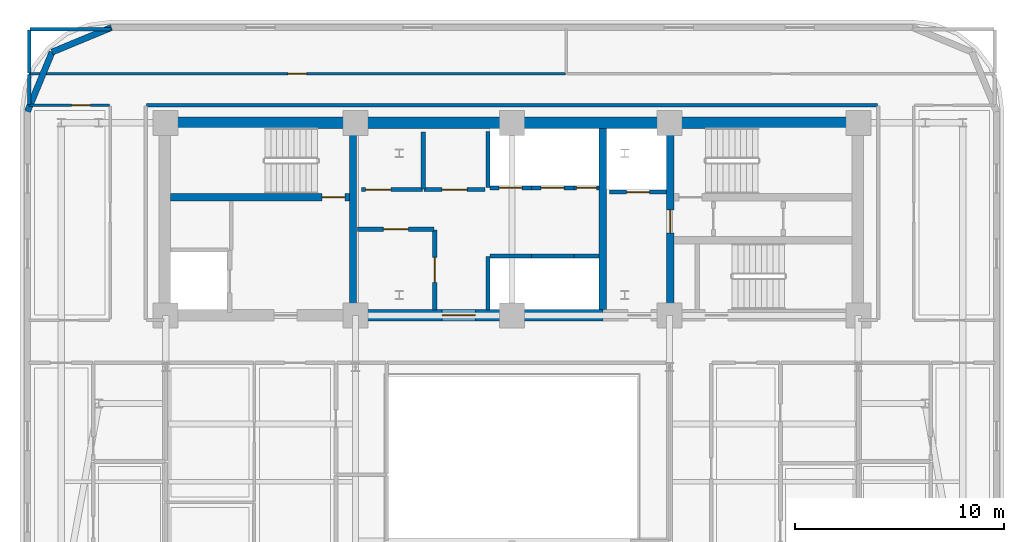
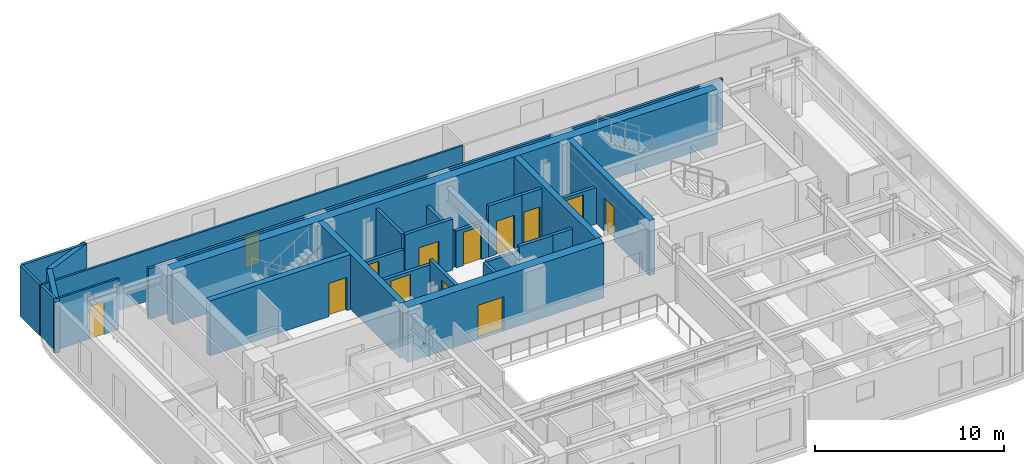
# One storey, part 8 of 13: 28 walls, 13 doors, 13 openings.
"""IFC4 building model written with IfcOpenShell, lengths in metres."""

from ifc_helpers import new_model, si_unit, direction, frame, frame_2d, origin, place, context, subcontext, project, spatial, rectangle, extrude, material, layer, layer_set, type_object, element, fill, save


model = new_model("IFC4")

# Units and contexts
model_context = context("Model", 3, precision=1e-05, world=origin(), true_north=direction((0.0, 1.0)))
body_context = subcontext(model_context, "Body", "Model", "MODEL_VIEW")
ifc_project = project(units=[si_unit("LENGTHUNIT", "METRE"), si_unit("AREAUNIT", "SQUARE_METRE"), si_unit("VOLUMEUNIT", "CUBIC_METRE"), si_unit("PLANEANGLEUNIT", "RADIAN"), si_unit("MASSUNIT", "GRAM", prefix="KILO")], contexts=[model_context])

# Site, building, storey
site_placement = place(None, origin())
site = spatial("IfcSite", under=ifc_project, at=site_placement, CompositionType="ELEMENT")
building_placement = place(site_placement, origin())
building = spatial("IfcBuilding", under=site, at=building_placement, Name="Zarnavel Station Tower", CompositionType="ELEMENT")
storey_placement = place(building_placement, frame((0.0, 0.0, 148.35009765625)))
storey = spatial("IfcBuildingStorey", under=building, at=storey_placement, Name="L40", CompositionType="ELEMENT", Elevation=148.35009765625)

# Walls
ifc_material_1 = material(Name="Concrete C50/60", Category="concrete")
ifc_layer_1 = layer(ifc_material_1, 0.35009765625)
ifc_layer_set_1 = layer_set([ifc_layer_1], Name="CW_350")
wall_type_1 = type_object("IfcWallType", Name="CW_350", PredefinedType="SHEAR", material=ifc_layer_set_1)
for number, where, z_axis, x_axis, name in (
    (1, (21.179931640625, 28.094970703125, 0.0), (0.0, 0.0, 1.0), (0.0, 1.0, 0.0), "L40 Rear Core Shear Wall DIV-W"),
    (2, (33.14990234375, 28.094970703125, 0.0), (0.0, 0.0, 1.0), (0.0, 1.0, 0.0), "L40 Rear Core Shear Wall DIV-E"),
):
    element("IfcWall", number, at=place(storey_placement, frame(where, z_axis=z_axis, x_axis=x_axis)), inside=storey, type_object=wall_type_1, Name=name, PredefinedType="SHEAR", context=body_context, shape_type="SweptSolid", body=[
        extrude(rectangle(XDim=8.679931640625, YDim=0.35009765625, at=frame_2d((4.33984375, 0.0))), origin(), (0.0, 0.0, 1.0), 3.5498046875),
    ])

# Wall, opening, door
wall_1_placement = place(storey_placement, frame((36.3798828125, 28.094970703125, 0.0), z_axis=(0.0, 0.0, 1.0), x_axis=(0.0, 1.0, 0.0)))
wall_1 = element("IfcWall", 3, at=wall_1_placement, inside=storey, type_object=wall_type_1, Name="L40 Rear Core Shear Wall DIV-S2", PredefinedType="SHEAR", context=body_context, shape_type="SweptSolid", body=[
    extrude(rectangle(XDim=8.679931640625, YDim=0.35009765625, at=frame_2d((4.33984375, 0.0))), origin(), (0.0, 0.0, 1.0), 3.5498046875),
])
opening_1_placement = place(wall_1_placement, frame((3.68505859375, 0.0, 0.0)))
opening_1 = element("IfcOpeningElement", 4, at=opening_1_placement, cuts=wall_1, Name="Opening FD01", PredefinedType="OPENING", context=body_context, shape_type="SweptSolid", body=[
    extrude(rectangle(XDim=1.10009765625, YDim=2.14990234375, at=frame_2d((0.550048828125, 1.074951171875))), frame((0.0, 0.18505859375, 0.0), z_axis=(0.0, -1.0, 0.0), x_axis=(1.0, 0.0, 0.0)), (0.0, 0.0, 1.0), 0.3701171875),
])
ifc_material_2 = material(Name="Painted Galvanised Steel and Hardwood Leaf", Category="steel")
door_type_1 = type_object("IfcDoorType", Name="ID_STAIR_1100", OperationType="NOTDEFINED", PredefinedType="DOOR", material=ifc_material_2)
door_1_placement = place(opening_1_placement, origin())
door_1 = element("IfcDoor", 5, at=door_1_placement, inside=storey, type_object=door_type_1, Name="L40 East Stair Vestibule Fire Door", OperationType="SINGLE_SWING_LEFT", OverallHeight=2.14990234375, OverallWidth=1.10009765625, PredefinedType="DOOR", context=body_context, shape_type="SweptSolid", body=[
    extrude(rectangle(XDim=1.10009765625, YDim=2.14990234375, at=frame_2d((0.550048828125, 1.074951171875))), frame((0.0, 0.02490234375, 0.0), z_axis=(0.0, -1.0, 0.0), x_axis=(1.0, 0.0, 0.0)), (0.0, 0.0, 1.0), 0.050048828125),
])
fill(opening_1, door_1)

wall_2_placement = place(storey_placement, frame((21.0048828125, 33.47998046875, 0.0), z_axis=(0.0, 0.0, 1.0), x_axis=(-1.0, 0.0, 0.0)))
wall_2 = element("IfcWall", 6, at=wall_2_placement, inside=storey, type_object=wall_type_1, Name="L40 Rear Core Shear Wall DIV-H1", PredefinedType="SHEAR", context=body_context, shape_type="SweptSolid", body=[
    extrude(rectangle(XDim=8.579833984375, YDim=0.35009765625, at=frame_2d((4.2900390625, 0.0))), origin(), (0.0, 0.0, 1.0), 3.5498046875),
])
opening_2_placement = place(wall_2_placement, frame((0.219970703125, 0.0, 0.0)))
opening_2 = element("IfcOpeningElement", 7, at=opening_2_placement, cuts=wall_2, Name="Opening FD01", PredefinedType="OPENING", context=body_context, shape_type="SweptSolid", body=[
    extrude(rectangle(XDim=1.10009765625, YDim=2.14990234375, at=frame_2d((0.550048828125, 1.074951171875))), frame((0.0, 0.18505859375, 0.0), z_axis=(0.0, -1.0, 0.0), x_axis=(1.0, 0.0, 0.0)), (0.0, 0.0, 1.0), 0.3701171875),
])
door_2_placement = place(opening_2_placement, origin())
door_2 = element("IfcDoor", 8, at=door_2_placement, inside=storey, type_object=door_type_1, Name="L40 Stair ST1 Lobby Fire Door", OperationType="SINGLE_SWING_LEFT", OverallHeight=2.14990234375, OverallWidth=1.10009765625, PredefinedType="DOOR", context=body_context, shape_type="SweptSolid", body=[
    extrude(rectangle(XDim=1.10009765625, YDim=2.14990234375, at=frame_2d((0.550048828125, 1.074951171875))), frame((0.0, 0.02490234375, 0.0), z_axis=(0.0, -1.0, 0.0), x_axis=(1.0, 0.0, 0.0)), (0.0, 0.0, 1.0), 0.050048828125),
])
fill(opening_2, door_2)

# Wall
ifc_material_3 = material(Name="Concrete C50/60", Category="concrete")
ifc_layer_2 = layer(ifc_material_3, 0.550048828125)
ifc_layer_set_2 = layer_set([ifc_layer_2], Name="CW_550")
wall_type_2 = type_object("IfcWallType", Name="CW_550", PredefinedType="SHEAR", material=ifc_layer_set_2)
wall_3_placement = place(storey_placement, frame((12.14990234375, 37.050048828125, 0.0), z_axis=(0.0, 0.0, 1.0), x_axis=(1.0, 0.0, 0.0)))
element("IfcWall", 9, at=wall_3_placement, inside=storey, type_object=wall_type_2, Name="L40 Rear Core Shear Wall N", PredefinedType="SHEAR", context=body_context, shape_type="SweptSolid", body=[
    extrude(rectangle(XDim=33.22998046875, YDim=0.550048828125, at=frame_2d((16.614990234375, 0.0))), origin(), (0.0, 0.0, 1.0), 3.5498046875),
])

# Wall, opening, door
wall_4_placement = place(storey_placement, frame((33.14990234375, 27.820068359375, 0.0), z_axis=(0.0, 0.0, 1.0), x_axis=(-1.0, 0.0, 0.0)))
wall_4 = element("IfcWall", 10, at=wall_4_placement, inside=storey, type_object=wall_type_2, Name="L40 Rear Core Shear Wall S-M", PredefinedType="SHEAR", context=body_context, shape_type="SweptSolid", body=[
    extrude(rectangle(XDim=11.969970703125, YDim=0.550048828125, at=frame_2d((5.98486328125, 0.0))), origin(), (0.0, 0.0, 1.0), 3.5498046875),
])
opening_3_placement = place(wall_4_placement, frame((6.10009765625, 0.0, 0.0)))
opening_3 = element("IfcOpeningElement", 11, at=opening_3_placement, cuts=wall_4, Name="Opening ID03", PredefinedType="OPENING", context=body_context, shape_type="SweptSolid", body=[
    extrude(rectangle(XDim=1.60009765625, YDim=2.199951171875, at=frame_2d((0.800048828125, 1.10009765625))), frame((0.0, 0.284912109375, 0.0), z_axis=(0.0, -1.0, 0.0), x_axis=(1.0, 0.0, 0.0)), (0.0, 0.0, 1.0), 0.570068359375),
])
ifc_material_4 = material(Name="Painted Galvanised Steel and Hardwood Leaf", Category="steel")
door_type_2 = type_object("IfcDoorType", Name="ID_PUBLIC_1600", OperationType="DOUBLE_DOOR_SINGLE_SWING", PredefinedType="DOOR", material=ifc_material_4)
door_3_placement = place(opening_3_placement, origin())
door_3 = element("IfcDoor", 12, at=door_3_placement, inside=storey, type_object=door_type_2, Name="L40 Passenger Lift Lobby Double Door", OperationType="SINGLE_SWING_LEFT", OverallHeight=2.199951171875, OverallWidth=1.60009765625, PredefinedType="DOOR", context=body_context, shape_type="SweptSolid", body=[
    extrude(rectangle(XDim=1.60009765625, YDim=2.199951171875, at=frame_2d((0.800048828125, 1.10009765625))), frame((0.0, 0.02490234375, 0.0), z_axis=(0.0, -1.0, 0.0), x_axis=(1.0, 0.0, 0.0)), (0.0, 0.0, 1.0), 0.050048828125),
])
fill(opening_3, door_3)

# Walls
ifc_material_5 = material(Name="Precast concrete C45/55 (Dark Basalt Finish)", Category="masonry")
ifc_layer_3 = layer(ifc_material_5, 0.300048828125)
ifc_layer_set_3 = layer_set([ifc_layer_3], Name="EW_BASALT_300")
wall_type_3 = type_object("IfcWallType", Name="EW_BASALT_300", PredefinedType="SOLIDWALL", material=ifc_layer_set_3)
wall_5_placement = place(storey_placement, frame((6.75732421875, 40.442626953125, 0.0), z_axis=(0.0, 0.0, 1.0), x_axis=(0.923882414032, 0.382676475685, 0.0)))
element("IfcWall", 13, at=wall_5_placement, inside=storey, type_object=wall_type_3, Name="L40 Exterior Basalt Masonry Frame Wall 07", PredefinedType="SOLIDWALL", context=body_context, shape_type="SweptSolid", body=[
    extrude(rectangle(XDim=3.076904296875, YDim=0.300048828125, at=frame_2d((1.53857421875, 0.0))), origin(), (0.0, 0.0, 1.0), 3.289794921875),
])
wall_6_placement = place(storey_placement, frame((5.580078125, 37.60009765625, 0.0), z_axis=(0.0, 0.0, 1.0), x_axis=(0.382636798336, 0.92389884758, 0.0)))
element("IfcWall", 14, at=wall_6_placement, inside=storey, type_object=wall_type_3, Name="L40 Exterior Basalt Masonry Frame Wall 08", PredefinedType="SOLIDWALL", context=body_context, shape_type="SweptSolid", body=[
    extrude(rectangle(XDim=3.07666015625, YDim=0.300048828125, at=frame_2d((1.538330078125, 0.0))), origin(), (0.0, 0.0, 1.0), 3.289794921875),
])
ifc_material_6 = material(Name="Gypsum Twin-Stud Acoustic Fire Partition", Category="concrete")
ifc_layer_4 = layer(ifc_material_6, 0.159912109375)
ifc_layer_set_4 = layer_set([ifc_layer_4], Name="PT_DEMISE_160")
wall_type_4 = type_object("IfcWallType", Name="PT_DEMISE_160", PredefinedType="PARTITIONING", material=ifc_layer_set_4)
wall_7_placement = place(storey_placement, frame((11.280029296875, 37.89990234375, 0.0), z_axis=(0.0, 0.0, 1.0), x_axis=(1.0, 0.0, 0.0)))
element("IfcWall", 15, at=wall_7_placement, inside=storey, type_object=wall_type_4, Name="L40 Enclosure Wall COR-N", PredefinedType="PARTITIONING", context=body_context, shape_type="SweptSolid", body=[
    extrude(rectangle(XDim=35.0400390625, YDim=0.159912109375, at=frame_2d((17.52001953125, 0.0))), origin(), (0.0, 0.0, 1.0), 3.289794921875),
])
wall_8_placement = place(storey_placement, frame((5.659912109375, 37.929931640625, 0.0), z_axis=(0.0, 0.0, 1.0), x_axis=(0.0, 1.0, 0.0)))
element("IfcWall", 16, at=wall_8_placement, inside=storey, type_object=wall_type_4, Name="L40 Enclosure Wall COR-N", PredefinedType="PARTITIONING", context=body_context, shape_type="SweptSolid", body=[
    extrude(rectangle(XDim=1.440185546875, YDim=0.159912109375, at=frame_2d((0.72021484375, 0.0))), origin(), (0.0, 0.0, 1.0), 3.289794921875),
])
wall_9_placement = place(storey_placement, frame((5.68994140625, 41.5400390625, 0.0), z_axis=(0.0, 0.0, 1.0), x_axis=(1.0, 0.0, 0.0)))
element("IfcWall", 17, at=wall_9_placement, inside=storey, type_object=wall_type_4, Name="L40 Enclosure Wall NGYM", PredefinedType="PARTITIONING", context=body_context, shape_type="SweptSolid", body=[
    extrude(rectangle(XDim=3.880126953125, YDim=0.159912109375, at=frame_2d((1.93994140625, 0.0))), origin(), (0.0, 0.0, 1.0), 3.289794921875),
])
wall_10_placement = place(storey_placement, frame((5.659912109375, 39.429931640625, 0.0), z_axis=(0.0, 0.0, 1.0), x_axis=(0.0, 1.0, 0.0)))
element("IfcWall", 18, at=wall_10_placement, inside=storey, type_object=wall_type_4, Name="L40 Enclosure Wall NGYM", PredefinedType="PARTITIONING", context=body_context, shape_type="SweptSolid", body=[
    extrude(rectangle(XDim=2.080078125, YDim=0.159912109375, at=frame_2d((1.0400390625, 0.0))), origin(), (0.0, 0.0, 1.0), 3.289794921875),
])

# Wall, opening, door
ifc_material_7 = material(Name="Gypsum Metal-Stud Interior Partition", Category="concrete")
ifc_layer_5 = layer(ifc_material_7, 0.1201171875)
ifc_layer_set_5 = layer_set([ifc_layer_5], Name="PT_ROOM_120")
wall_type_5 = type_object("IfcWallType", Name="PT_ROOM_120", PredefinedType="PARTITIONING", material=ifc_layer_set_5)
wall_11_placement = place(storey_placement, frame((5.659912109375, 37.89990234375, 0.0), z_axis=(0.0, 0.0, 1.0), x_axis=(1.0, 0.0, 0.0)))
wall_11 = element("IfcWall", 19, at=wall_11_placement, inside=storey, type_object=wall_type_5, Name="L40 Partition COR-N-FNW", PredefinedType="PARTITIONING", context=body_context, shape_type="SweptSolid", body=[
    extrude(rectangle(XDim=3.85009765625, YDim=0.1201171875, at=frame_2d((1.925048828125, 0.0))), origin(), (0.0, 0.0, 1.0), 3.289794921875),
])
opening_4_placement = place(wall_11_placement, frame((2.03125, 0.0, 0.0)))
opening_4 = element("IfcOpeningElement", 20, at=opening_4_placement, cuts=wall_11, Name="Opening ID01", PredefinedType="OPENING", context=body_context, shape_type="SweptSolid", body=[
    extrude(rectangle(XDim=0.89990234375, YDim=2.10009765625, at=frame_2d((0.449951171875, 1.050048828125))), frame((0.0, 0.070068359375, 0.0), z_axis=(0.0, -1.0, 0.0), x_axis=(1.0, 0.0, 0.0)), (0.0, 0.0, 1.0), 0.14013671875),
])
ifc_material_8 = material(Name="Painted Galvanised Steel and Hardwood Leaf", Category="steel")
door_type_3 = type_object("IfcDoorType", Name="ID_ROOM_900", OperationType="NOTDEFINED", PredefinedType="DOOR", material=ifc_material_8)
door_4_placement = place(opening_4_placement, origin())
door_4 = element("IfcDoor", 21, at=door_4_placement, inside=storey, type_object=door_type_3, Name="L40 Door COR-N-FNW", OperationType="SINGLE_SWING_LEFT", OverallHeight=2.10009765625, OverallWidth=0.89990234375, PredefinedType="DOOR", context=body_context, shape_type="SweptSolid", body=[
    extrude(rectangle(XDim=0.89990234375, YDim=2.10009765625, at=frame_2d((0.449951171875, 1.050048828125))), frame((0.0, 0.02490234375, 0.0), z_axis=(0.0, -1.0, 0.0), x_axis=(1.0, 0.0, 0.0)), (0.0, 0.0, 1.0), 0.050048828125),
])
fill(opening_4, door_4)

wall_12_placement = place(storey_placement, frame((5.659912109375, 39.39990234375, 0.0), z_axis=(0.0, 0.0, 1.0), x_axis=(1.0, 0.0, 0.0)))
wall_12 = element("IfcWall", 22, at=wall_12_placement, inside=storey, type_object=wall_type_5, Name="L40 Partition COR-N-NGYM", PredefinedType="PARTITIONING", context=body_context, shape_type="SweptSolid", body=[
    extrude(rectangle(XDim=25.7001953125, YDim=0.1201171875, at=frame_2d((12.85009765625, 0.0))), origin(), (0.0, 0.0, 1.0), 3.289794921875),
])
opening_5_placement = place(wall_12_placement, frame((12.39990234375, 0.0, 0.0)))
opening_5 = element("IfcOpeningElement", 23, at=opening_5_placement, cuts=wall_12, Name="Opening ID01", PredefinedType="OPENING", context=body_context, shape_type="SweptSolid", body=[
    extrude(rectangle(XDim=0.89990234375, YDim=2.10009765625, at=frame_2d((0.449951171875, 1.050048828125))), frame((0.0, 0.070068359375, 0.0), z_axis=(0.0, -1.0, 0.0), x_axis=(1.0, 0.0, 0.0)), (0.0, 0.0, 1.0), 0.14013671875),
])
door_5_placement = place(opening_5_placement, origin())
door_5 = element("IfcDoor", 24, at=door_5_placement, inside=storey, type_object=door_type_3, Name="L40 Door COR-N-NGYM", OperationType="SINGLE_SWING_LEFT", OverallHeight=2.10009765625, OverallWidth=0.89990234375, PredefinedType="DOOR", context=body_context, shape_type="SweptSolid", body=[
    extrude(rectangle(XDim=0.89990234375, YDim=2.10009765625, at=frame_2d((0.449951171875, 1.050048828125))), frame((0.0, 0.02490234375, 0.0), z_axis=(0.0, -1.0, 0.0), x_axis=(1.0, 0.0, 0.0)), (0.0, 0.0, 1.0), 0.050048828125),
])
fill(opening_5, door_5)

ifc_material_9 = material(Name="Precast concrete C45/55 (Fire Shaft Blockwork)", Category="masonry")
ifc_layer_6 = layer(ifc_material_9, 0.199951171875)
ifc_layer_set_6 = layer_set([ifc_layer_6], Name="PT_SHAFT_200")
wall_type_6 = type_object("IfcWallType", Name="PT_SHAFT_200", PredefinedType="PARTITIONING", material=ifc_layer_set_6)
wall_13_placement = place(storey_placement, frame((33.47509765625, 33.72998046875, 0.0), z_axis=(0.0, 0.0, 1.0), x_axis=(1.0, 0.0, 0.0)))
wall_13 = element("IfcWall", 25, at=wall_13_placement, inside=storey, type_object=wall_type_6, Name="L40 Lift FFL-02 Shaft Front Wall", PredefinedType="PARTITIONING", context=body_context, shape_type="SweptSolid", body=[
    extrude(rectangle(XDim=2.724853515625, YDim=0.199951171875, at=frame_2d((1.3623046875, 0.0))), origin(), (0.0, 0.0, 1.0), 2.35986328125),
])
opening_6_placement = place(wall_13_placement, frame((0.8125, 0.0, 0.0)))
opening_6 = element("IfcOpeningElement", 26, at=opening_6_placement, cuts=wall_13, Name="Opening LD01", PredefinedType="OPENING", context=body_context, shape_type="SweptSolid", body=[
    extrude(rectangle(XDim=1.10009765625, YDim=2.14990234375, at=frame_2d((0.550048828125, 1.074951171875))), frame((0.0, 0.10986328125, 0.0), z_axis=(0.0, -1.0, 0.0), x_axis=(1.0, 0.0, 0.0)), (0.0, 0.0, 1.0), 0.219970703125),
])
ifc_material_10 = material(Name="Painted Galvanised Steel and Hardwood Leaf", Category="steel")
door_type_4 = type_object("IfcDoorType", Name="LD_FF_1100", OperationType="DOUBLE_DOOR_SLIDING", PredefinedType="DOOR", material=ifc_material_10)
door_6_placement = place(opening_6_placement, origin())
door_6 = element("IfcDoor", 27, at=door_6_placement, inside=storey, type_object=door_type_4, Name="L40 Lift FFL-02 Sliding Landing Door", OperationType="DOUBLE_DOOR_SLIDING", OverallHeight=2.14990234375, OverallWidth=1.10009765625, PredefinedType="DOOR", context=body_context, shape_type="SweptSolid", body=[
    extrude(rectangle(XDim=1.10009765625, YDim=2.14990234375, at=frame_2d((0.550048828125, 1.074951171875))), frame((0.0, 0.02490234375, 0.0), z_axis=(0.0, -1.0, 0.0), x_axis=(1.0, 0.0, 0.0)), (0.0, 0.0, 1.0), 0.050048828125),
])
fill(opening_6, door_6)

# Walls
wall_14_placement = place(storey_placement, frame((27.75, 30.669921875, 0.0), z_axis=(0.0, 0.0, 1.0), x_axis=(1.0, 0.0, 0.0)))
element("IfcWall", 28, at=wall_14_placement, inside=storey, type_object=wall_type_6, Name="L40 Lift PL-H1 Shaft Front Wall", PredefinedType="PARTITIONING", context=body_context, shape_type="SweptSolid", body=[
    extrude(rectangle(XDim=1.97509765625, YDim=0.199951171875, at=frame_2d((0.987548828125, 0.0))), origin(), (0.0, 0.0, 1.0), 2.35986328125),
])
wall_15_placement = place(storey_placement, frame((27.64990234375, 28.070068359375, 0.0), z_axis=(0.0, 0.0, 1.0), x_axis=(0.0, 1.0, 0.0)))
element("IfcWall", 29, at=wall_15_placement, inside=storey, type_object=wall_type_6, Name="L40 High-Rise Lift Bank West Shaft Wall", PredefinedType="PARTITIONING", context=body_context, shape_type="SweptSolid", body=[
    extrude(rectangle(XDim=2.579833984375, YDim=0.199951171875, at=frame_2d((1.2900390625, 0.0))), origin(), (0.0, 0.0, 1.0), 2.35986328125),
])
wall_16_placement = place(storey_placement, frame((29.72509765625, 30.669921875, 0.0), z_axis=(0.0, 0.0, 1.0), x_axis=(1.0, 0.0, 0.0)))
element("IfcWall", 30, at=wall_16_placement, inside=storey, type_object=wall_type_6, Name="L40 Lift PL-H2 Shaft Front Wall", PredefinedType="PARTITIONING", context=body_context, shape_type="SweptSolid", body=[
    extrude(rectangle(XDim=2.0498046875, YDim=0.199951171875, at=frame_2d((1.02490234375, 0.0))), origin(), (0.0, 0.0, 1.0), 2.669921875),
])
wall_17_placement = place(storey_placement, frame((31.77490234375, 30.669921875, 0.0), z_axis=(0.0, 0.0, 1.0), x_axis=(1.0, 0.0, 0.0)))
element("IfcWall", 31, at=wall_17_placement, inside=storey, type_object=wall_type_6, Name="L40 Lift PL-H3 Shaft Front Wall", PredefinedType="PARTITIONING", context=body_context, shape_type="SweptSolid", body=[
    extrude(rectangle(XDim=1.2001953125, YDim=0.199951171875, at=frame_2d((0.60009765625, 0.0))), origin(), (0.0, 0.0, 1.0), 2.669921875),
])

# Wall, opening, door
wall_18_placement = place(storey_placement, frame((27.75, 33.929931640625, 0.0), z_axis=(0.0, 0.0, 1.0), x_axis=(1.0, 0.0, 0.0)))
wall_18 = element("IfcWall", 32, at=wall_18_placement, inside=storey, type_object=wall_type_6, Name="L40 Lift PL-M1 Shaft Front Wall", PredefinedType="PARTITIONING", context=body_context, shape_type="SweptSolid", body=[
    extrude(rectangle(XDim=1.97509765625, YDim=0.199951171875, at=frame_2d((0.987548828125, 0.0))), origin(), (0.0, 0.0, 1.0), 2.35986328125),
])
opening_7_placement = place(wall_18_placement, frame((0.4375, 0.0, 0.0)))
opening_7 = element("IfcOpeningElement", 33, at=opening_7_placement, cuts=wall_18, Name="Opening LD02", PredefinedType="OPENING", context=body_context, shape_type="SweptSolid", body=[
    extrude(rectangle(XDim=1.10009765625, YDim=2.14990234375, at=frame_2d((0.550048828125, 1.074951171875))), frame((0.0, 0.10986328125, 0.0), z_axis=(0.0, -1.0, 0.0), x_axis=(1.0, 0.0, 0.0)), (0.0, 0.0, 1.0), 0.219970703125),
])
ifc_material_11 = material(Name="Painted Galvanised Steel and Hardwood Leaf", Category="steel")
door_type_5 = type_object("IfcDoorType", Name="LD_PAX_1100", OperationType="DOUBLE_DOOR_SLIDING", PredefinedType="DOOR", material=ifc_material_11)
door_7_placement = place(opening_7_placement, origin())
door_7 = element("IfcDoor", 34, at=door_7_placement, inside=storey, type_object=door_type_5, Name="L40 Lift PL-M1 Sliding Landing Door", OperationType="DOUBLE_DOOR_SLIDING", OverallHeight=2.14990234375, OverallWidth=1.10009765625, PredefinedType="DOOR", context=body_context, shape_type="SweptSolid", body=[
    extrude(rectangle(XDim=1.10009765625, YDim=2.14990234375, at=frame_2d((0.550048828125, 1.074951171875))), frame((0.0, 0.02490234375, 0.0), z_axis=(0.0, -1.0, 0.0), x_axis=(1.0, 0.0, 0.0)), (0.0, 0.0, 1.0), 0.050048828125),
])
fill(opening_7, door_7)

# Wall
wall_19_placement = place(storey_placement, frame((27.64990234375, 33.949951171875, 0.0), z_axis=(0.0, 0.0, 1.0), x_axis=(0.0, 1.0, 0.0)))
element("IfcWall", 35, at=wall_19_placement, inside=storey, type_object=wall_type_6, Name="L40 Mid-Rise Lift Bank West Shaft Wall", PredefinedType="PARTITIONING", context=body_context, shape_type="SweptSolid", body=[
    extrude(rectangle(XDim=2.679931640625, YDim=0.199951171875, at=frame_2d((1.33984375, 0.0))), origin(), (0.0, 0.0, 1.0), 2.35986328125),
])

# Wall, opening, door
wall_20_placement = place(storey_placement, frame((29.72509765625, 33.929931640625, 0.0), z_axis=(0.0, 0.0, 1.0), x_axis=(1.0, 0.0, 0.0)))
wall_20 = element("IfcWall", 36, at=wall_20_placement, inside=storey, type_object=wall_type_6, Name="L40 Lift PL-M2 Shaft Front Wall", PredefinedType="PARTITIONING", context=body_context, shape_type="SweptSolid", body=[
    extrude(rectangle(XDim=2.0498046875, YDim=0.199951171875, at=frame_2d((1.02490234375, 0.0))), origin(), (0.0, 0.0, 1.0), 3.289794921875),
])
opening_8_placement = place(wall_20_placement, frame((0.47509765625, 0.0, 0.0)))
opening_8 = element("IfcOpeningElement", 37, at=opening_8_placement, cuts=wall_20, Name="Opening LD02", PredefinedType="OPENING", context=body_context, shape_type="SweptSolid", body=[
    extrude(rectangle(XDim=1.10009765625, YDim=2.14990234375, at=frame_2d((0.550048828125, 1.074951171875))), frame((0.0, 0.10986328125, 0.0), z_axis=(0.0, -1.0, 0.0), x_axis=(1.0, 0.0, 0.0)), (0.0, 0.0, 1.0), 0.219970703125),
])
door_8_placement = place(opening_8_placement, origin())
door_8 = element("IfcDoor", 38, at=door_8_placement, inside=storey, type_object=door_type_5, Name="L40 Lift PL-M2 Sliding Landing Door", OperationType="DOUBLE_DOOR_SLIDING", OverallHeight=2.14990234375, OverallWidth=1.10009765625, PredefinedType="DOOR", context=body_context, shape_type="SweptSolid", body=[
    extrude(rectangle(XDim=1.10009765625, YDim=2.14990234375, at=frame_2d((0.550048828125, 1.074951171875))), frame((0.0, 0.02490234375, 0.0), z_axis=(0.0, -1.0, 0.0), x_axis=(1.0, 0.0, 0.0)), (0.0, 0.0, 1.0), 0.050048828125),
])
fill(opening_8, door_8)

wall_21_placement = place(storey_placement, frame((31.77490234375, 33.929931640625, 0.0), z_axis=(0.0, 0.0, 1.0), x_axis=(1.0, 0.0, 0.0)))
wall_21 = element("IfcWall", 39, at=wall_21_placement, inside=storey, type_object=wall_type_6, Name="L40 Lift PL-M3 Shaft Front Wall", PredefinedType="PARTITIONING", context=body_context, shape_type="SweptSolid", body=[
    extrude(rectangle(XDim=1.2001953125, YDim=0.199951171875, at=frame_2d((0.60009765625, 0.0))), origin(), (0.0, 0.0, 1.0), 3.289794921875),
])
opening_9_placement = place(wall_21_placement, frame((0.125, 0.0, 0.0)))
opening_9 = element("IfcOpeningElement", 40, at=opening_9_placement, cuts=wall_21, Name="Opening LD03", PredefinedType="OPENING", context=body_context, shape_type="SweptSolid", body=[
    extrude(rectangle(XDim=0.949951171875, YDim=2.14990234375, at=frame_2d((0.47509765625, 1.074951171875))), frame((0.0, 0.10986328125, 0.0), z_axis=(0.0, -1.0, 0.0), x_axis=(1.0, 0.0, 0.0)), (0.0, 0.0, 1.0), 0.219970703125),
])
ifc_material_12 = material(Name="Painted Galvanised Steel and Hardwood Leaf", Category="steel")
door_type_6 = type_object("IfcDoorType", Name="LD_PAX_0950", OperationType="DOUBLE_DOOR_SLIDING", PredefinedType="DOOR", material=ifc_material_12)
door_9_placement = place(opening_9_placement, origin())
door_9 = element("IfcDoor", 41, at=door_9_placement, inside=storey, type_object=door_type_6, Name="L40 Lift PL-M3 Sliding Landing Door", OperationType="DOUBLE_DOOR_SLIDING", OverallHeight=2.14990234375, OverallWidth=0.949951171875, PredefinedType="DOOR", context=body_context, shape_type="SweptSolid", body=[
    extrude(rectangle(XDim=0.949951171875, YDim=2.14990234375, at=frame_2d((0.47509765625, 1.074951171875))), frame((0.0, 0.02490234375, 0.0), z_axis=(0.0, -1.0, 0.0), x_axis=(1.0, 0.0, 0.0)), (0.0, 0.0, 1.0), 0.050048828125),
])
fill(opening_9, door_9)

wall_22_placement = place(storey_placement, frame((21.39990234375, 31.949951171875, 0.0), z_axis=(0.0, 0.0, 1.0), x_axis=(1.0, 0.0, 0.0)))
wall_22 = element("IfcWall", 42, at=wall_22_placement, inside=storey, type_object=wall_type_6, Name="L40 Partition LLOB-CS1", PredefinedType="PARTITIONING", context=body_context, shape_type="SweptSolid", body=[
    extrude(rectangle(XDim=3.66015625, YDim=0.199951171875, at=frame_2d((1.830078125, 0.0))), origin(), (0.0, 0.0, 1.0), 2.35986328125),
])
opening_10_placement = place(wall_22_placement, frame((1.22998046875, 0.0, 0.0)))
opening_10 = element("IfcOpeningElement", 43, at=opening_10_placement, cuts=wall_22, Name="Opening FD03", PredefinedType="OPENING", context=body_context, shape_type="SweptSolid", body=[
    extrude(rectangle(XDim=1.199951171875, YDim=2.14990234375, at=frame_2d((0.60009765625, 1.074951171875))), frame((0.0, 0.10986328125, 0.0), z_axis=(0.0, -1.0, 0.0), x_axis=(1.0, 0.0, 0.0)), (0.0, 0.0, 1.0), 0.219970703125),
])
ifc_material_13 = material(Name="Painted Galvanised Steel and Hardwood Leaf", Category="steel")
door_type_7 = type_object("IfcDoorType", Name="ID_PLANT_1200", OperationType="NOTDEFINED", PredefinedType="DOOR", material=ifc_material_13)
door_10_placement = place(opening_10_placement, origin())
door_10 = element("IfcDoor", 44, at=door_10_placement, inside=storey, type_object=door_type_7, Name="L40 Door LLOB-CS1", OperationType="SINGLE_SWING_LEFT", OverallHeight=2.14990234375, OverallWidth=1.199951171875, PredefinedType="DOOR", context=body_context, shape_type="SweptSolid", body=[
    extrude(rectangle(XDim=1.199951171875, YDim=2.14990234375, at=frame_2d((0.60009765625, 1.074951171875))), frame((0.0, 0.02490234375, 0.0), z_axis=(0.0, -1.0, 0.0), x_axis=(1.0, 0.0, 0.0)), (0.0, 0.0, 1.0), 0.050048828125),
])
fill(opening_10, door_10)

wall_23_placement = place(storey_placement, frame((24.510009765625, 33.85009765625, 0.0), z_axis=(0.0, 0.0, 1.0), x_axis=(-1.0, 0.0, 0.0)))
wall_23 = element("IfcWall", 45, at=wall_23_placement, inside=storey, type_object=wall_type_6, Name="L40 Partition LLOB-FB1A", PredefinedType="PARTITIONING", context=body_context, shape_type="SweptSolid", body=[
    extrude(rectangle(XDim=2.919921875, YDim=0.199951171875, at=frame_2d((1.4599609375, 0.0))), origin(), (0.0, 0.0, 1.0), 2.35986328125),
])
opening_11_placement = place(wall_23_placement, frame((1.52001953125, 0.0, 0.0)))
opening_11 = element("IfcOpeningElement", 46, at=opening_11_placement, cuts=wall_23, Name="Opening FD03", PredefinedType="OPENING", context=body_context, shape_type="SweptSolid", body=[
    extrude(rectangle(XDim=1.199951171875, YDim=2.14990234375, at=frame_2d((0.60009765625, 1.074951171875))), frame((0.0, 0.10986328125, 0.0), z_axis=(0.0, -1.0, 0.0), x_axis=(1.0, 0.0, 0.0)), (0.0, 0.0, 1.0), 0.219970703125),
])
door_11_placement = place(opening_11_placement, origin())
door_11 = element("IfcDoor", 47, at=door_11_placement, inside=storey, type_object=door_type_7, Name="L40 Door LLOB-FB1A", OperationType="SINGLE_SWING_RIGHT", OverallHeight=2.14990234375, OverallWidth=1.199951171875, PredefinedType="DOOR", context=body_context, shape_type="SweptSolid", body=[
    extrude(rectangle(XDim=1.199951171875, YDim=2.14990234375, at=frame_2d((0.60009765625, 1.074951171875))), frame((0.0, 0.02490234375, 0.0), z_axis=(0.0, -1.0, 0.0), x_axis=(1.0, 0.0, 0.0)), (0.0, 0.0, 1.0), 0.050048828125),
])
fill(opening_11, door_11)

wall_24_placement = place(storey_placement, frame((24.590087890625, 33.85009765625, 0.0), z_axis=(0.0, 0.0, 1.0), x_axis=(1.0, 0.0, 0.0)))
wall_24 = element("IfcWall", 48, at=wall_24_placement, inside=storey, type_object=wall_type_6, Name="L40 Partition LLOB-FB1B", PredefinedType="PARTITIONING", context=body_context, shape_type="SweptSolid", body=[
    extrude(rectangle(XDim=2.919921875, YDim=0.199951171875, at=frame_2d((1.4599609375, 0.0))), origin(), (0.0, 0.0, 1.0), 3.289794921875),
])
opening_12_placement = place(wall_24_placement, frame((0.860107421875, 0.0, 0.0)))
opening_12 = element("IfcOpeningElement", 49, at=opening_12_placement, cuts=wall_24, Name="Opening FD03", PredefinedType="OPENING", context=body_context, shape_type="SweptSolid", body=[
    extrude(rectangle(XDim=1.199951171875, YDim=2.14990234375, at=frame_2d((0.60009765625, 1.074951171875))), frame((0.0, 0.10986328125, 0.0), z_axis=(0.0, -1.0, 0.0), x_axis=(1.0, 0.0, 0.0)), (0.0, 0.0, 1.0), 0.219970703125),
])
door_12_placement = place(opening_12_placement, origin())
door_12 = element("IfcDoor", 50, at=door_12_placement, inside=storey, type_object=door_type_7, Name="L40 Door LLOB-FB1B", OperationType="SINGLE_SWING_LEFT", OverallHeight=2.14990234375, OverallWidth=1.199951171875, PredefinedType="DOOR", context=body_context, shape_type="SweptSolid", body=[
    extrude(rectangle(XDim=1.199951171875, YDim=2.14990234375, at=frame_2d((0.60009765625, 1.074951171875))), frame((0.0, 0.02490234375, 0.0), z_axis=(0.0, -1.0, 0.0), x_axis=(1.0, 0.0, 0.0)), (0.0, 0.0, 1.0), 0.050048828125),
])
fill(opening_12, door_12)

wall_25_placement = place(storey_placement, frame((25.10009765625, 28.090087890625, 0.0), z_axis=(0.0, 0.0, 1.0), x_axis=(0.0, 1.0, 0.0)))
wall_25 = element("IfcWall", 51, at=wall_25_placement, inside=storey, type_object=wall_type_6, Name="L40 Partition LLOBS-CS1", PredefinedType="PARTITIONING", context=body_context, shape_type="SweptSolid", body=[
    extrude(rectangle(XDim=3.81982421875, YDim=0.199951171875, at=frame_2d((1.909912109375, 0.0))), origin(), (0.0, 0.0, 1.0), 2.669921875),
])
opening_13_placement = place(wall_25_placement, frame((1.31005859375, 0.0, 0.0)))
opening_13 = element("IfcOpeningElement", 52, at=opening_13_placement, cuts=wall_25, Name="Opening FD03", PredefinedType="OPENING", context=body_context, shape_type="SweptSolid", body=[
    extrude(rectangle(XDim=1.199951171875, YDim=2.14990234375, at=frame_2d((0.60009765625, 1.074951171875))), frame((0.0, 0.10986328125, 0.0), z_axis=(0.0, -1.0, 0.0), x_axis=(1.0, 0.0, 0.0)), (0.0, 0.0, 1.0), 0.219970703125),
])
door_13_placement = place(opening_13_placement, origin())
door_13 = element("IfcDoor", 53, at=door_13_placement, inside=storey, type_object=door_type_7, Name="L40 Door LLOBS-CS1", OperationType="SINGLE_SWING_RIGHT", OverallHeight=2.14990234375, OverallWidth=1.199951171875, PredefinedType="DOOR", context=body_context, shape_type="SweptSolid", body=[
    extrude(rectangle(XDim=1.199951171875, YDim=2.14990234375, at=frame_2d((0.60009765625, 1.074951171875))), frame((0.0, 0.02490234375, 0.0), z_axis=(0.0, -1.0, 0.0), x_axis=(1.0, 0.0, 0.0)), (0.0, 0.0, 1.0), 0.050048828125),
])
fill(opening_13, door_13)

# Wall
wall_26_placement = place(storey_placement, frame((24.550048828125, 33.889892578125, 0.0), z_axis=(0.0, 0.0, 1.0), x_axis=(0.0, 1.0, 0.0)))
element("IfcWall", 54, at=wall_26_placement, inside=storey, type_object=wall_type_6, Name="L40 Partition FB1A-FB1B", PredefinedType="PARTITIONING", context=body_context, shape_type="SweptSolid", body=[
    extrude(rectangle(XDim=2.72021484375, YDim=0.199951171875, at=frame_2d((1.360107421875, 0.0))), origin(), (0.0, 0.0, 1.0), 3.289794921875),
])

save(model, "model.ifc")
